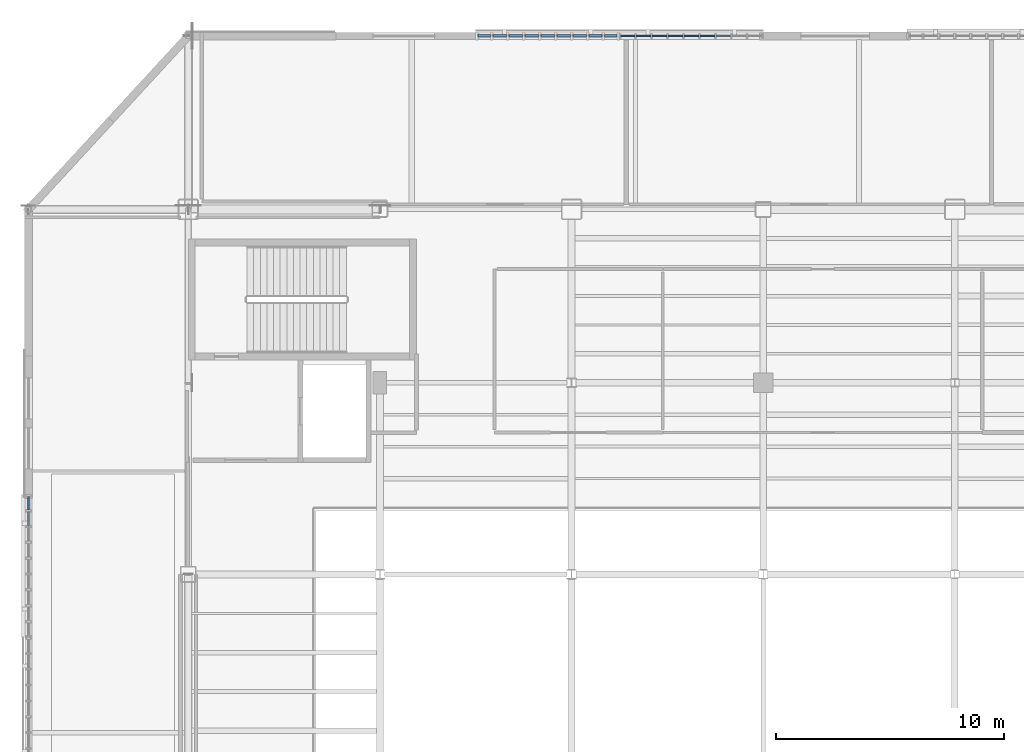
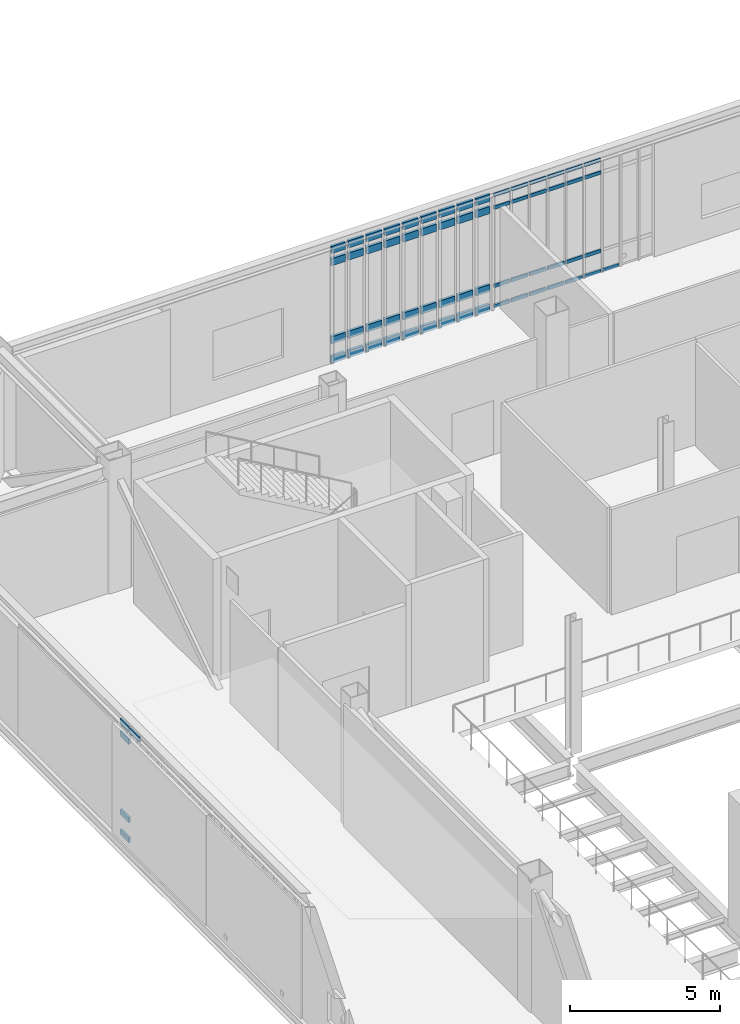
# One storey, part 59 of 127: 66 members, 3 elements without a shape of their own.
"""IFC4 building model written with IfcOpenShell, lengths in metres."""

from ifc_helpers import new_model, si_unit, direction, frame, origin, origin_2d, place, context, subcontext, project, spatial, rectangle, extrude, material, material_profile, profile_set, type_object, element, aggregate, save


model = new_model("IFC4")

# Units and contexts
model_context = context("Model", 3, precision=1e-05, world=origin(), true_north=direction((0.0, 1.0)))
body_context = subcontext(model_context, "Body", "Model", "MODEL_VIEW")
ifc_project = project(units=[si_unit("LENGTHUNIT", "METRE"), si_unit("AREAUNIT", "SQUARE_METRE"), si_unit("VOLUMEUNIT", "CUBIC_METRE"), si_unit("PLANEANGLEUNIT", "RADIAN"), si_unit("MASSUNIT", "GRAM", prefix="KILO")], contexts=[model_context])

# Site, building, storey
site_placement = place(None, origin())
site = spatial("IfcSite", under=ifc_project, at=site_placement, CompositionType="ELEMENT")
building_placement = place(site_placement, origin())
building = spatial("IfcBuilding", under=site, at=building_placement, Name="Larkvane Passage Sports Hall", CompositionType="ELEMENT")
storey_placement = place(building_placement, frame((0.0, 0.0, 5.39990234375)))
storey = spatial("IfcBuildingStorey", under=building, at=storey_placement, Name="L01", CompositionType="ELEMENT", Elevation=5.39990234375)

# Curtain wall, members
ifc_material_1 = material(Name="Thermally broken aluminium and low-E glazing", Category="aluminium")
curtain_wall_type_1 = type_object("IfcCurtainWallType", Name="CW-CLINIC", PredefinedType="USERDEFINED", material=ifc_material_1)
curtain_wall_1_placement = place(storey_placement, origin())
curtain_wall_1 = element("IfcCurtainWall", 1, at=curtain_wall_1_placement, inside=storey, type_object=curtain_wall_type_1, Name="Curtain wall CW5-L01-039", ObjectType="UNITISED CURTAIN WALL", PredefinedType="USERDEFINED")
ifc_material_2 = material(Name="Anodised aluminium 6063-T6", Category="aluminium")
ifc_material_profile_1 = material_profile(ifc_material_2, rectangle(XDim=0.110107421875, YDim=0.2900390625, at=origin_2d()), Name="ALU-TRN-110x290")
ifc_profile_set_1 = profile_set([ifc_material_profile_1], Name="Anodised aluminium 6063-T6")
member_type_1 = type_object("IfcMemberType", Name="CW-TRN-110x290", PredefinedType="USERDEFINED", material=ifc_profile_set_1)
member_1_placement = place(storey_placement, frame((47.510009765625, 99.199951171875, 0.05517578125), z_axis=(1.0, 0.0, 0.0), x_axis=(0.0, 1.0, 0.0)))
member_1 = element("IfcMember", 2, at=member_1_placement, type_object=member_type_1, Name="CW-05 transom 1.1", ObjectType="TRANSOM", PredefinedType="USERDEFINED", context=body_context, shape_type="SweptSolid", body=[
    extrude(rectangle(XDim=0.110107421875, YDim=0.2900390625, at=origin_2d()), origin(), (0.0, 0.0, 1.0), 0.534912109375),
])
member_2_placement = place(storey_placement, frame((47.510009765625, 99.199951171875, 0.85009765625), z_axis=(1.0, 0.0, 0.0), x_axis=(0.0, 1.0, 0.0)))
member_2 = element("IfcMember", 3, at=member_2_placement, type_object=member_type_1, Name="CW-05 transom 1.2", ObjectType="TRANSOM", PredefinedType="USERDEFINED", context=body_context, shape_type="SweptSolid", body=[
    extrude(rectangle(XDim=0.110107421875, YDim=0.2900390625, at=origin_2d()), origin(), (0.0, 0.0, 1.0), 0.534912109375),
])
member_3_placement = place(storey_placement, frame((47.510009765625, 99.199951171875, 4.01806640625), z_axis=(1.0, 0.0, 0.0), x_axis=(0.0, 1.0, 0.0)))
member_3 = element("IfcMember", 4, at=member_3_placement, type_object=member_type_1, Name="CW-05 transom 1.3", ObjectType="TRANSOM", PredefinedType="USERDEFINED", context=body_context, shape_type="SweptSolid", body=[
    extrude(rectangle(XDim=0.110107421875, YDim=0.2900390625, at=origin_2d()), origin(), (0.0, 0.0, 1.0), 0.534912109375),
])
member_4_placement = place(storey_placement, frame((47.510009765625, 99.199951171875, 4.51318359375), z_axis=(1.0, 0.0, 0.0), x_axis=(0.0, 1.0, 0.0)))
member_4 = element("IfcMember", 5, at=member_4_placement, type_object=member_type_1, Name="CW-05 transom 1.4", ObjectType="TRANSOM", PredefinedType="USERDEFINED", context=body_context, shape_type="SweptSolid", body=[
    extrude(rectangle(XDim=0.110107421875, YDim=0.2900390625, at=origin_2d()), origin(), (0.0, 0.0, 1.0), 0.534912109375),
])
member_5_placement = place(storey_placement, frame((48.155029296875, 99.199951171875, 0.05517578125), z_axis=(1.0, 0.0, 0.0), x_axis=(0.0, 1.0, 0.0)))
member_5 = element("IfcMember", 6, at=member_5_placement, type_object=member_type_1, Name="CW-05 transom 2.1", ObjectType="TRANSOM", PredefinedType="USERDEFINED", context=body_context, shape_type="SweptSolid", body=[
    extrude(rectangle(XDim=0.110107421875, YDim=0.2900390625, at=origin_2d()), origin(), (0.0, 0.0, 1.0), 0.590087890625),
])
member_6_placement = place(storey_placement, frame((48.155029296875, 99.199951171875, 0.85009765625), z_axis=(1.0, 0.0, 0.0), x_axis=(0.0, 1.0, 0.0)))
member_6 = element("IfcMember", 7, at=member_6_placement, type_object=member_type_1, Name="CW-05 transom 2.2", ObjectType="TRANSOM", PredefinedType="USERDEFINED", context=body_context, shape_type="SweptSolid", body=[
    extrude(rectangle(XDim=0.110107421875, YDim=0.2900390625, at=origin_2d()), origin(), (0.0, 0.0, 1.0), 0.590087890625),
])
member_7_placement = place(storey_placement, frame((48.155029296875, 99.199951171875, 4.01806640625), z_axis=(1.0, 0.0, 0.0), x_axis=(0.0, 1.0, 0.0)))
member_7 = element("IfcMember", 8, at=member_7_placement, type_object=member_type_1, Name="CW-05 transom 2.3", ObjectType="TRANSOM", PredefinedType="USERDEFINED", context=body_context, shape_type="SweptSolid", body=[
    extrude(rectangle(XDim=0.110107421875, YDim=0.2900390625, at=origin_2d()), origin(), (0.0, 0.0, 1.0), 0.590087890625),
])
member_8_placement = place(storey_placement, frame((48.155029296875, 99.199951171875, 4.51318359375), z_axis=(1.0, 0.0, 0.0), x_axis=(0.0, 1.0, 0.0)))
member_8 = element("IfcMember", 9, at=member_8_placement, type_object=member_type_1, Name="CW-05 transom 2.4", ObjectType="TRANSOM", PredefinedType="USERDEFINED", context=body_context, shape_type="SweptSolid", body=[
    extrude(rectangle(XDim=0.110107421875, YDim=0.2900390625, at=origin_2d()), origin(), (0.0, 0.0, 1.0), 0.590087890625),
])
member_9_placement = place(storey_placement, frame((48.85498046875, 99.199951171875, 0.05517578125), z_axis=(1.0, 0.0, 0.0), x_axis=(0.0, 1.0, 0.0)))
member_9 = element("IfcMember", 10, at=member_9_placement, type_object=member_type_1, Name="CW-05 transom 3.1", ObjectType="TRANSOM", PredefinedType="USERDEFINED", context=body_context, shape_type="SweptSolid", body=[
    extrude(rectangle(XDim=0.110107421875, YDim=0.2900390625, at=origin_2d()), origin(), (0.0, 0.0, 1.0), 0.590087890625),
])
member_10_placement = place(storey_placement, frame((48.85498046875, 99.199951171875, 0.85009765625), z_axis=(1.0, 0.0, 0.0), x_axis=(0.0, 1.0, 0.0)))
member_10 = element("IfcMember", 11, at=member_10_placement, type_object=member_type_1, Name="CW-05 transom 3.2", ObjectType="TRANSOM", PredefinedType="USERDEFINED", context=body_context, shape_type="SweptSolid", body=[
    extrude(rectangle(XDim=0.110107421875, YDim=0.2900390625, at=origin_2d()), origin(), (0.0, 0.0, 1.0), 0.590087890625),
])
member_11_placement = place(storey_placement, frame((48.85498046875, 99.199951171875, 4.01806640625), z_axis=(1.0, 0.0, 0.0), x_axis=(0.0, 1.0, 0.0)))
member_11 = element("IfcMember", 12, at=member_11_placement, type_object=member_type_1, Name="CW-05 transom 3.3", ObjectType="TRANSOM", PredefinedType="USERDEFINED", context=body_context, shape_type="SweptSolid", body=[
    extrude(rectangle(XDim=0.110107421875, YDim=0.2900390625, at=origin_2d()), origin(), (0.0, 0.0, 1.0), 0.590087890625),
])
member_12_placement = place(storey_placement, frame((48.85498046875, 99.199951171875, 4.51318359375), z_axis=(1.0, 0.0, 0.0), x_axis=(0.0, 1.0, 0.0)))
member_12 = element("IfcMember", 13, at=member_12_placement, type_object=member_type_1, Name="CW-05 transom 3.4", ObjectType="TRANSOM", PredefinedType="USERDEFINED", context=body_context, shape_type="SweptSolid", body=[
    extrude(rectangle(XDim=0.110107421875, YDim=0.2900390625, at=origin_2d()), origin(), (0.0, 0.0, 1.0), 0.590087890625),
])
member_13_placement = place(storey_placement, frame((49.554931640625, 99.199951171875, 0.05517578125), z_axis=(1.0, 0.0, 0.0), x_axis=(0.0, 1.0, 0.0)))
member_13 = element("IfcMember", 14, at=member_13_placement, type_object=member_type_1, Name="CW-05 transom 4.1", ObjectType="TRANSOM", PredefinedType="USERDEFINED", context=body_context, shape_type="SweptSolid", body=[
    extrude(rectangle(XDim=0.110107421875, YDim=0.2900390625, at=origin_2d()), origin(), (0.0, 0.0, 1.0), 0.590087890625),
])
member_14_placement = place(storey_placement, frame((49.554931640625, 99.199951171875, 0.85009765625), z_axis=(1.0, 0.0, 0.0), x_axis=(0.0, 1.0, 0.0)))
member_14 = element("IfcMember", 15, at=member_14_placement, type_object=member_type_1, Name="CW-05 transom 4.2", ObjectType="TRANSOM", PredefinedType="USERDEFINED", context=body_context, shape_type="SweptSolid", body=[
    extrude(rectangle(XDim=0.110107421875, YDim=0.2900390625, at=origin_2d()), origin(), (0.0, 0.0, 1.0), 0.590087890625),
])
member_15_placement = place(storey_placement, frame((49.554931640625, 99.199951171875, 4.01806640625), z_axis=(1.0, 0.0, 0.0), x_axis=(0.0, 1.0, 0.0)))
member_15 = element("IfcMember", 16, at=member_15_placement, type_object=member_type_1, Name="CW-05 transom 4.3", ObjectType="TRANSOM", PredefinedType="USERDEFINED", context=body_context, shape_type="SweptSolid", body=[
    extrude(rectangle(XDim=0.110107421875, YDim=0.2900390625, at=origin_2d()), origin(), (0.0, 0.0, 1.0), 0.590087890625),
])
member_16_placement = place(storey_placement, frame((49.554931640625, 99.199951171875, 4.51318359375), z_axis=(1.0, 0.0, 0.0), x_axis=(0.0, 1.0, 0.0)))
member_16 = element("IfcMember", 17, at=member_16_placement, type_object=member_type_1, Name="CW-05 transom 4.4", ObjectType="TRANSOM", PredefinedType="USERDEFINED", context=body_context, shape_type="SweptSolid", body=[
    extrude(rectangle(XDim=0.110107421875, YDim=0.2900390625, at=origin_2d()), origin(), (0.0, 0.0, 1.0), 0.590087890625),
])
member_17_placement = place(storey_placement, frame((50.2548828125, 99.199951171875, 0.05517578125), z_axis=(1.0, 0.0, 0.0), x_axis=(0.0, 1.0, 0.0)))
member_17 = element("IfcMember", 18, at=member_17_placement, type_object=member_type_1, Name="CW-05 transom 5.1", ObjectType="TRANSOM", PredefinedType="USERDEFINED", context=body_context, shape_type="SweptSolid", body=[
    extrude(rectangle(XDim=0.110107421875, YDim=0.2900390625, at=origin_2d()), origin(), (0.0, 0.0, 1.0), 0.590087890625),
])
member_18_placement = place(storey_placement, frame((50.2548828125, 99.199951171875, 0.85009765625), z_axis=(1.0, 0.0, 0.0), x_axis=(0.0, 1.0, 0.0)))
member_18 = element("IfcMember", 19, at=member_18_placement, type_object=member_type_1, Name="CW-05 transom 5.2", ObjectType="TRANSOM", PredefinedType="USERDEFINED", context=body_context, shape_type="SweptSolid", body=[
    extrude(rectangle(XDim=0.110107421875, YDim=0.2900390625, at=origin_2d()), origin(), (0.0, 0.0, 1.0), 0.590087890625),
])
member_19_placement = place(storey_placement, frame((50.2548828125, 99.199951171875, 4.01806640625), z_axis=(1.0, 0.0, 0.0), x_axis=(0.0, 1.0, 0.0)))
member_19 = element("IfcMember", 20, at=member_19_placement, type_object=member_type_1, Name="CW-05 transom 5.3", ObjectType="TRANSOM", PredefinedType="USERDEFINED", context=body_context, shape_type="SweptSolid", body=[
    extrude(rectangle(XDim=0.110107421875, YDim=0.2900390625, at=origin_2d()), origin(), (0.0, 0.0, 1.0), 0.590087890625),
])
member_20_placement = place(storey_placement, frame((50.2548828125, 99.199951171875, 4.51318359375), z_axis=(1.0, 0.0, 0.0), x_axis=(0.0, 1.0, 0.0)))
member_20 = element("IfcMember", 21, at=member_20_placement, type_object=member_type_1, Name="CW-05 transom 5.4", ObjectType="TRANSOM", PredefinedType="USERDEFINED", context=body_context, shape_type="SweptSolid", body=[
    extrude(rectangle(XDim=0.110107421875, YDim=0.2900390625, at=origin_2d()), origin(), (0.0, 0.0, 1.0), 0.590087890625),
])
member_21_placement = place(storey_placement, frame((50.955078125, 99.199951171875, 0.05517578125), z_axis=(1.0, 0.0, 0.0), x_axis=(0.0, 1.0, 0.0)))
member_21 = element("IfcMember", 22, at=member_21_placement, type_object=member_type_1, Name="CW-05 transom 6.1", ObjectType="TRANSOM", PredefinedType="USERDEFINED", context=body_context, shape_type="SweptSolid", body=[
    extrude(rectangle(XDim=0.110107421875, YDim=0.2900390625, at=origin_2d()), origin(), (0.0, 0.0, 1.0), 0.58984375),
])
member_22_placement = place(storey_placement, frame((50.955078125, 99.199951171875, 0.85009765625), z_axis=(1.0, 0.0, 0.0), x_axis=(0.0, 1.0, 0.0)))
member_22 = element("IfcMember", 23, at=member_22_placement, type_object=member_type_1, Name="CW-05 transom 6.2", ObjectType="TRANSOM", PredefinedType="USERDEFINED", context=body_context, shape_type="SweptSolid", body=[
    extrude(rectangle(XDim=0.110107421875, YDim=0.2900390625, at=origin_2d()), origin(), (0.0, 0.0, 1.0), 0.58984375),
])
member_23_placement = place(storey_placement, frame((50.955078125, 99.199951171875, 4.01806640625), z_axis=(1.0, 0.0, 0.0), x_axis=(0.0, 1.0, 0.0)))
member_23 = element("IfcMember", 24, at=member_23_placement, type_object=member_type_1, Name="CW-05 transom 6.3", ObjectType="TRANSOM", PredefinedType="USERDEFINED", context=body_context, shape_type="SweptSolid", body=[
    extrude(rectangle(XDim=0.110107421875, YDim=0.2900390625, at=origin_2d()), origin(), (0.0, 0.0, 1.0), 0.58984375),
])
member_24_placement = place(storey_placement, frame((50.955078125, 99.199951171875, 4.51318359375), z_axis=(1.0, 0.0, 0.0), x_axis=(0.0, 1.0, 0.0)))
member_24 = element("IfcMember", 25, at=member_24_placement, type_object=member_type_1, Name="CW-05 transom 6.4", ObjectType="TRANSOM", PredefinedType="USERDEFINED", context=body_context, shape_type="SweptSolid", body=[
    extrude(rectangle(XDim=0.110107421875, YDim=0.2900390625, at=origin_2d()), origin(), (0.0, 0.0, 1.0), 0.58984375),
])
member_25_placement = place(storey_placement, frame((51.655029296875, 99.199951171875, 0.05517578125), z_axis=(1.0, 0.0, 0.0), x_axis=(0.0, 1.0, 0.0)))
member_25 = element("IfcMember", 26, at=member_25_placement, type_object=member_type_1, Name="CW-05 transom 7.1", ObjectType="TRANSOM", PredefinedType="USERDEFINED", context=body_context, shape_type="SweptSolid", body=[
    extrude(rectangle(XDim=0.110107421875, YDim=0.2900390625, at=origin_2d()), origin(), (0.0, 0.0, 1.0), 0.590087890625),
])
member_26_placement = place(storey_placement, frame((51.655029296875, 99.199951171875, 0.85009765625), z_axis=(1.0, 0.0, 0.0), x_axis=(0.0, 1.0, 0.0)))
member_26 = element("IfcMember", 27, at=member_26_placement, type_object=member_type_1, Name="CW-05 transom 7.2", ObjectType="TRANSOM", PredefinedType="USERDEFINED", context=body_context, shape_type="SweptSolid", body=[
    extrude(rectangle(XDim=0.110107421875, YDim=0.2900390625, at=origin_2d()), origin(), (0.0, 0.0, 1.0), 0.590087890625),
])
member_27_placement = place(storey_placement, frame((51.655029296875, 99.199951171875, 4.01806640625), z_axis=(1.0, 0.0, 0.0), x_axis=(0.0, 1.0, 0.0)))
member_27 = element("IfcMember", 28, at=member_27_placement, type_object=member_type_1, Name="CW-05 transom 7.3", ObjectType="TRANSOM", PredefinedType="USERDEFINED", context=body_context, shape_type="SweptSolid", body=[
    extrude(rectangle(XDim=0.110107421875, YDim=0.2900390625, at=origin_2d()), origin(), (0.0, 0.0, 1.0), 0.590087890625),
])
member_28_placement = place(storey_placement, frame((51.655029296875, 99.199951171875, 4.51318359375), z_axis=(1.0, 0.0, 0.0), x_axis=(0.0, 1.0, 0.0)))
member_28 = element("IfcMember", 29, at=member_28_placement, type_object=member_type_1, Name="CW-05 transom 7.4", ObjectType="TRANSOM", PredefinedType="USERDEFINED", context=body_context, shape_type="SweptSolid", body=[
    extrude(rectangle(XDim=0.110107421875, YDim=0.2900390625, at=origin_2d()), origin(), (0.0, 0.0, 1.0), 0.590087890625),
])
member_29_placement = place(storey_placement, frame((52.35498046875, 99.199951171875, 0.05517578125), z_axis=(1.0, 0.0, 0.0), x_axis=(0.0, 1.0, 0.0)))
member_29 = element("IfcMember", 30, at=member_29_placement, type_object=member_type_1, Name="CW-05 transom 8.1", ObjectType="TRANSOM", PredefinedType="USERDEFINED", context=body_context, shape_type="SweptSolid", body=[
    extrude(rectangle(XDim=0.110107421875, YDim=0.2900390625, at=origin_2d()), origin(), (0.0, 0.0, 1.0), 0.590087890625),
])
member_30_placement = place(storey_placement, frame((52.35498046875, 99.199951171875, 0.85009765625), z_axis=(1.0, 0.0, 0.0), x_axis=(0.0, 1.0, 0.0)))
member_30 = element("IfcMember", 31, at=member_30_placement, type_object=member_type_1, Name="CW-05 transom 8.2", ObjectType="TRANSOM", PredefinedType="USERDEFINED", context=body_context, shape_type="SweptSolid", body=[
    extrude(rectangle(XDim=0.110107421875, YDim=0.2900390625, at=origin_2d()), origin(), (0.0, 0.0, 1.0), 0.590087890625),
])
member_31_placement = place(storey_placement, frame((52.35498046875, 99.199951171875, 4.01806640625), z_axis=(1.0, 0.0, 0.0), x_axis=(0.0, 1.0, 0.0)))
member_31 = element("IfcMember", 32, at=member_31_placement, type_object=member_type_1, Name="CW-05 transom 8.3", ObjectType="TRANSOM", PredefinedType="USERDEFINED", context=body_context, shape_type="SweptSolid", body=[
    extrude(rectangle(XDim=0.110107421875, YDim=0.2900390625, at=origin_2d()), origin(), (0.0, 0.0, 1.0), 0.590087890625),
])
member_32_placement = place(storey_placement, frame((52.35498046875, 99.199951171875, 4.51318359375), z_axis=(1.0, 0.0, 0.0), x_axis=(0.0, 1.0, 0.0)))
member_32 = element("IfcMember", 33, at=member_32_placement, type_object=member_type_1, Name="CW-05 transom 8.4", ObjectType="TRANSOM", PredefinedType="USERDEFINED", context=body_context, shape_type="SweptSolid", body=[
    extrude(rectangle(XDim=0.110107421875, YDim=0.2900390625, at=origin_2d()), origin(), (0.0, 0.0, 1.0), 0.590087890625),
])
member_33_placement = place(storey_placement, frame((53.054931640625, 99.199951171875, 0.05517578125), z_axis=(1.0, 0.0, 0.0), x_axis=(0.0, 1.0, 0.0)))
member_33 = element("IfcMember", 34, at=member_33_placement, type_object=member_type_1, Name="CW-05 transom 9.1", ObjectType="TRANSOM", PredefinedType="USERDEFINED", context=body_context, shape_type="SweptSolid", body=[
    extrude(rectangle(XDim=0.110107421875, YDim=0.2900390625, at=origin_2d()), origin(), (0.0, 0.0, 1.0), 0.53515625),
])
member_34_placement = place(storey_placement, frame((53.054931640625, 99.199951171875, 0.85009765625), z_axis=(1.0, 0.0, 0.0), x_axis=(0.0, 1.0, 0.0)))
member_34 = element("IfcMember", 35, at=member_34_placement, type_object=member_type_1, Name="CW-05 transom 9.2", ObjectType="TRANSOM", PredefinedType="USERDEFINED", context=body_context, shape_type="SweptSolid", body=[
    extrude(rectangle(XDim=0.110107421875, YDim=0.2900390625, at=origin_2d()), origin(), (0.0, 0.0, 1.0), 0.53515625),
])
member_35_placement = place(storey_placement, frame((53.054931640625, 99.199951171875, 4.01806640625), z_axis=(1.0, 0.0, 0.0), x_axis=(0.0, 1.0, 0.0)))
member_35 = element("IfcMember", 36, at=member_35_placement, type_object=member_type_1, Name="CW-05 transom 9.3", ObjectType="TRANSOM", PredefinedType="USERDEFINED", context=body_context, shape_type="SweptSolid", body=[
    extrude(rectangle(XDim=0.110107421875, YDim=0.2900390625, at=origin_2d()), origin(), (0.0, 0.0, 1.0), 0.53515625),
])
member_36_placement = place(storey_placement, frame((53.054931640625, 99.199951171875, 4.51318359375), z_axis=(1.0, 0.0, 0.0), x_axis=(0.0, 1.0, 0.0)))
member_36 = element("IfcMember", 37, at=member_36_placement, type_object=member_type_1, Name="CW-05 transom 9.4", ObjectType="TRANSOM", PredefinedType="USERDEFINED", context=body_context, shape_type="SweptSolid", body=[
    extrude(rectangle(XDim=0.110107421875, YDim=0.2900390625, at=origin_2d()), origin(), (0.0, 0.0, 1.0), 0.53515625),
])
aggregate(curtain_wall_1, [member_1, member_2, member_3, member_4, member_5, member_6, member_7, member_8, member_9, member_10, member_11, member_12, member_13, member_14, member_15, member_16, member_17, member_18, member_19, member_20, member_21, member_22, member_23, member_24, member_25, member_26, member_27, member_28, member_29, member_30, member_31, member_32, member_33, member_34, member_35, member_36])

curtain_wall_type_2 = type_object("IfcCurtainWallType", Name="CW-UNIT-COURT", PredefinedType="USERDEFINED", material=ifc_material_1)
curtain_wall_2_placement = place(storey_placement, origin())
curtain_wall_2 = element("IfcCurtainWall", 38, at=curtain_wall_2_placement, inside=storey, type_object=curtain_wall_type_2, Name="Curtain wall CW5-L01-040", ObjectType="UNITISED CURTAIN WALL", PredefinedType="USERDEFINED")
ifc_material_profile_2 = material_profile(ifc_material_2, rectangle(XDim=0.06494140625, YDim=0.139892578125, at=origin_2d()), Name="ALU-TRN-65x140")
ifc_profile_set_2 = profile_set([ifc_material_profile_2], Name="Anodised aluminium 6063-T6")
member_type_2 = type_object("IfcMemberType", Name="CW-TRN-65x140", PredefinedType="USERDEFINED", material=ifc_profile_set_2)
member_37_placement = place(storey_placement, frame((53.764892578125, 99.199951171875, 0.03271484375), z_axis=(1.0, 0.0, 0.0), x_axis=(0.0, 1.0, 0.0)))
member_37 = element("IfcMember", 39, at=member_37_placement, type_object=member_type_2, Name="CW-01 transom 1.1", ObjectType="TRANSOM", PredefinedType="USERDEFINED", context=body_context, shape_type="SweptSolid", body=[
    extrude(rectangle(XDim=0.06494140625, YDim=0.139892578125, at=origin_2d()), origin(), (0.0, 0.0, 1.0), 0.6025390625),
])
member_38_placement = place(storey_placement, frame((53.764892578125, 99.199951171875, 0.85009765625), z_axis=(1.0, 0.0, 0.0), x_axis=(0.0, 1.0, 0.0)))
member_38 = element("IfcMember", 40, at=member_38_placement, type_object=member_type_2, Name="CW-01 transom 1.2", ObjectType="TRANSOM", PredefinedType="USERDEFINED", context=body_context, shape_type="SweptSolid", body=[
    extrude(rectangle(XDim=0.06494140625, YDim=0.139892578125, at=origin_2d()), origin(), (0.0, 0.0, 1.0), 0.6025390625),
])
member_39_placement = place(storey_placement, frame((53.764892578125, 99.199951171875, 4.028076171875), z_axis=(1.0, 0.0, 0.0), x_axis=(0.0, 1.0, 0.0)))
member_39 = element("IfcMember", 41, at=member_39_placement, type_object=member_type_2, Name="CW-01 transom 1.3", ObjectType="TRANSOM", PredefinedType="USERDEFINED", context=body_context, shape_type="SweptSolid", body=[
    extrude(rectangle(XDim=0.06494140625, YDim=0.139892578125, at=origin_2d()), origin(), (0.0, 0.0, 1.0), 0.6025390625),
])
member_40_placement = place(storey_placement, frame((53.764892578125, 99.199951171875, 4.545654296875), z_axis=(1.0, 0.0, 0.0), x_axis=(0.0, 1.0, 0.0)))
member_40 = element("IfcMember", 42, at=member_40_placement, type_object=member_type_2, Name="CW-01 transom 1.4", ObjectType="TRANSOM", PredefinedType="USERDEFINED", context=body_context, shape_type="SweptSolid", body=[
    extrude(rectangle(XDim=0.06494140625, YDim=0.139892578125, at=origin_2d()), origin(), (0.0, 0.0, 1.0), 0.6025390625),
])
member_41_placement = place(storey_placement, frame((54.4326171875, 99.199951171875, 0.03271484375), z_axis=(1.0, 0.0, 0.0), x_axis=(0.0, 1.0, 0.0)))
member_41 = element("IfcMember", 43, at=member_41_placement, type_object=member_type_2, Name="CW-01 transom 2.1", ObjectType="TRANSOM", PredefinedType="USERDEFINED", context=body_context, shape_type="SweptSolid", body=[
    extrude(rectangle(XDim=0.06494140625, YDim=0.139892578125, at=origin_2d()), origin(), (0.0, 0.0, 1.0), 0.634765625),
])
member_42_placement = place(storey_placement, frame((54.4326171875, 99.199951171875, 0.85009765625), z_axis=(1.0, 0.0, 0.0), x_axis=(0.0, 1.0, 0.0)))
member_42 = element("IfcMember", 44, at=member_42_placement, type_object=member_type_2, Name="CW-01 transom 2.2", ObjectType="TRANSOM", PredefinedType="USERDEFINED", context=body_context, shape_type="SweptSolid", body=[
    extrude(rectangle(XDim=0.06494140625, YDim=0.139892578125, at=origin_2d()), origin(), (0.0, 0.0, 1.0), 0.634765625),
])
member_43_placement = place(storey_placement, frame((54.4326171875, 99.199951171875, 4.028076171875), z_axis=(1.0, 0.0, 0.0), x_axis=(0.0, 1.0, 0.0)))
member_43 = element("IfcMember", 45, at=member_43_placement, type_object=member_type_2, Name="CW-01 transom 2.3", ObjectType="TRANSOM", PredefinedType="USERDEFINED", context=body_context, shape_type="SweptSolid", body=[
    extrude(rectangle(XDim=0.06494140625, YDim=0.139892578125, at=origin_2d()), origin(), (0.0, 0.0, 1.0), 0.634765625),
])
member_44_placement = place(storey_placement, frame((54.4326171875, 99.199951171875, 4.545654296875), z_axis=(1.0, 0.0, 0.0), x_axis=(0.0, 1.0, 0.0)))
member_44 = element("IfcMember", 46, at=member_44_placement, type_object=member_type_2, Name="CW-01 transom 2.4", ObjectType="TRANSOM", PredefinedType="USERDEFINED", context=body_context, shape_type="SweptSolid", body=[
    extrude(rectangle(XDim=0.06494140625, YDim=0.139892578125, at=origin_2d()), origin(), (0.0, 0.0, 1.0), 0.634765625),
])
member_45_placement = place(storey_placement, frame((55.132568359375, 99.199951171875, 0.03271484375), z_axis=(1.0, 0.0, 0.0), x_axis=(0.0, 1.0, 0.0)))
member_45 = element("IfcMember", 47, at=member_45_placement, type_object=member_type_2, Name="CW-01 transom 3.1", ObjectType="TRANSOM", PredefinedType="USERDEFINED", context=body_context, shape_type="SweptSolid", body=[
    extrude(rectangle(XDim=0.06494140625, YDim=0.139892578125, at=origin_2d()), origin(), (0.0, 0.0, 1.0), 0.635009765625),
])
member_46_placement = place(storey_placement, frame((55.132568359375, 99.199951171875, 0.85009765625), z_axis=(1.0, 0.0, 0.0), x_axis=(0.0, 1.0, 0.0)))
member_46 = element("IfcMember", 48, at=member_46_placement, type_object=member_type_2, Name="CW-01 transom 3.2", ObjectType="TRANSOM", PredefinedType="USERDEFINED", context=body_context, shape_type="SweptSolid", body=[
    extrude(rectangle(XDim=0.06494140625, YDim=0.139892578125, at=origin_2d()), origin(), (0.0, 0.0, 1.0), 0.635009765625),
])
member_47_placement = place(storey_placement, frame((55.132568359375, 99.199951171875, 4.028076171875), z_axis=(1.0, 0.0, 0.0), x_axis=(0.0, 1.0, 0.0)))
member_47 = element("IfcMember", 49, at=member_47_placement, type_object=member_type_2, Name="CW-01 transom 3.3", ObjectType="TRANSOM", PredefinedType="USERDEFINED", context=body_context, shape_type="SweptSolid", body=[
    extrude(rectangle(XDim=0.06494140625, YDim=0.139892578125, at=origin_2d()), origin(), (0.0, 0.0, 1.0), 0.635009765625),
])
member_48_placement = place(storey_placement, frame((55.132568359375, 99.199951171875, 4.545654296875), z_axis=(1.0, 0.0, 0.0), x_axis=(0.0, 1.0, 0.0)))
member_48 = element("IfcMember", 50, at=member_48_placement, type_object=member_type_2, Name="CW-01 transom 3.4", ObjectType="TRANSOM", PredefinedType="USERDEFINED", context=body_context, shape_type="SweptSolid", body=[
    extrude(rectangle(XDim=0.06494140625, YDim=0.139892578125, at=origin_2d()), origin(), (0.0, 0.0, 1.0), 0.635009765625),
])
member_49_placement = place(storey_placement, frame((55.83251953125, 99.199951171875, 0.03271484375), z_axis=(1.0, 0.0, 0.0), x_axis=(0.0, 1.0, 0.0)))
member_49 = element("IfcMember", 51, at=member_49_placement, type_object=member_type_2, Name="CW-01 transom 4.1", ObjectType="TRANSOM", PredefinedType="USERDEFINED", context=body_context, shape_type="SweptSolid", body=[
    extrude(rectangle(XDim=0.06494140625, YDim=0.139892578125, at=origin_2d()), origin(), (0.0, 0.0, 1.0), 0.635009765625),
])
member_50_placement = place(storey_placement, frame((55.83251953125, 99.199951171875, 0.85009765625), z_axis=(1.0, 0.0, 0.0), x_axis=(0.0, 1.0, 0.0)))
member_50 = element("IfcMember", 52, at=member_50_placement, type_object=member_type_2, Name="CW-01 transom 4.2", ObjectType="TRANSOM", PredefinedType="USERDEFINED", context=body_context, shape_type="SweptSolid", body=[
    extrude(rectangle(XDim=0.06494140625, YDim=0.139892578125, at=origin_2d()), origin(), (0.0, 0.0, 1.0), 0.635009765625),
])
member_51_placement = place(storey_placement, frame((55.83251953125, 99.199951171875, 4.028076171875), z_axis=(1.0, 0.0, 0.0), x_axis=(0.0, 1.0, 0.0)))
member_51 = element("IfcMember", 53, at=member_51_placement, type_object=member_type_2, Name="CW-01 transom 4.3", ObjectType="TRANSOM", PredefinedType="USERDEFINED", context=body_context, shape_type="SweptSolid", body=[
    extrude(rectangle(XDim=0.06494140625, YDim=0.139892578125, at=origin_2d()), origin(), (0.0, 0.0, 1.0), 0.635009765625),
])
member_52_placement = place(storey_placement, frame((55.83251953125, 99.199951171875, 4.545654296875), z_axis=(1.0, 0.0, 0.0), x_axis=(0.0, 1.0, 0.0)))
member_52 = element("IfcMember", 54, at=member_52_placement, type_object=member_type_2, Name="CW-01 transom 4.4", ObjectType="TRANSOM", PredefinedType="USERDEFINED", context=body_context, shape_type="SweptSolid", body=[
    extrude(rectangle(XDim=0.06494140625, YDim=0.139892578125, at=origin_2d()), origin(), (0.0, 0.0, 1.0), 0.635009765625),
])
member_53_placement = place(storey_placement, frame((56.532470703125, 99.199951171875, 0.03271484375), z_axis=(1.0, 0.0, 0.0), x_axis=(0.0, 1.0, 0.0)))
member_53 = element("IfcMember", 55, at=member_53_placement, type_object=member_type_2, Name="CW-01 transom 5.1", ObjectType="TRANSOM", PredefinedType="USERDEFINED", context=body_context, shape_type="SweptSolid", body=[
    extrude(rectangle(XDim=0.06494140625, YDim=0.139892578125, at=origin_2d()), origin(), (0.0, 0.0, 1.0), 0.635009765625),
])
member_54_placement = place(storey_placement, frame((56.532470703125, 99.199951171875, 0.85009765625), z_axis=(1.0, 0.0, 0.0), x_axis=(0.0, 1.0, 0.0)))
member_54 = element("IfcMember", 56, at=member_54_placement, type_object=member_type_2, Name="CW-01 transom 5.2", ObjectType="TRANSOM", PredefinedType="USERDEFINED", context=body_context, shape_type="SweptSolid", body=[
    extrude(rectangle(XDim=0.06494140625, YDim=0.139892578125, at=origin_2d()), origin(), (0.0, 0.0, 1.0), 0.635009765625),
])
member_55_placement = place(storey_placement, frame((56.532470703125, 99.199951171875, 4.028076171875), z_axis=(1.0, 0.0, 0.0), x_axis=(0.0, 1.0, 0.0)))
member_55 = element("IfcMember", 57, at=member_55_placement, type_object=member_type_2, Name="CW-01 transom 5.3", ObjectType="TRANSOM", PredefinedType="USERDEFINED", context=body_context, shape_type="SweptSolid", body=[
    extrude(rectangle(XDim=0.06494140625, YDim=0.139892578125, at=origin_2d()), origin(), (0.0, 0.0, 1.0), 0.635009765625),
])
member_56_placement = place(storey_placement, frame((56.532470703125, 99.199951171875, 4.545654296875), z_axis=(1.0, 0.0, 0.0), x_axis=(0.0, 1.0, 0.0)))
member_56 = element("IfcMember", 58, at=member_56_placement, type_object=member_type_2, Name="CW-01 transom 5.4", ObjectType="TRANSOM", PredefinedType="USERDEFINED", context=body_context, shape_type="SweptSolid", body=[
    extrude(rectangle(XDim=0.06494140625, YDim=0.139892578125, at=origin_2d()), origin(), (0.0, 0.0, 1.0), 0.635009765625),
])
member_57_placement = place(storey_placement, frame((57.232421875, 99.199951171875, 0.03271484375), z_axis=(1.0, 0.0, 0.0), x_axis=(0.0, 1.0, 0.0)))
member_57 = element("IfcMember", 59, at=member_57_placement, type_object=member_type_2, Name="CW-01 transom 6.1", ObjectType="TRANSOM", PredefinedType="USERDEFINED", context=body_context, shape_type="SweptSolid", body=[
    extrude(rectangle(XDim=0.06494140625, YDim=0.139892578125, at=origin_2d()), origin(), (0.0, 0.0, 1.0), 0.635009765625),
])
member_58_placement = place(storey_placement, frame((57.232421875, 99.199951171875, 0.85009765625), z_axis=(1.0, 0.0, 0.0), x_axis=(0.0, 1.0, 0.0)))
member_58 = element("IfcMember", 60, at=member_58_placement, type_object=member_type_2, Name="CW-01 transom 6.2", ObjectType="TRANSOM", PredefinedType="USERDEFINED", context=body_context, shape_type="SweptSolid", body=[
    extrude(rectangle(XDim=0.06494140625, YDim=0.139892578125, at=origin_2d()), origin(), (0.0, 0.0, 1.0), 0.635009765625),
])
member_59_placement = place(storey_placement, frame((57.232421875, 99.199951171875, 4.028076171875), z_axis=(1.0, 0.0, 0.0), x_axis=(0.0, 1.0, 0.0)))
member_59 = element("IfcMember", 61, at=member_59_placement, type_object=member_type_2, Name="CW-01 transom 6.3", ObjectType="TRANSOM", PredefinedType="USERDEFINED", context=body_context, shape_type="SweptSolid", body=[
    extrude(rectangle(XDim=0.06494140625, YDim=0.139892578125, at=origin_2d()), origin(), (0.0, 0.0, 1.0), 0.635009765625),
])
member_60_placement = place(storey_placement, frame((57.232421875, 99.199951171875, 4.545654296875), z_axis=(1.0, 0.0, 0.0), x_axis=(0.0, 1.0, 0.0)))
member_60 = element("IfcMember", 62, at=member_60_placement, type_object=member_type_2, Name="CW-01 transom 6.4", ObjectType="TRANSOM", PredefinedType="USERDEFINED", context=body_context, shape_type="SweptSolid", body=[
    extrude(rectangle(XDim=0.06494140625, YDim=0.139892578125, at=origin_2d()), origin(), (0.0, 0.0, 1.0), 0.635009765625),
])
member_61_placement = place(storey_placement, frame((57.9326171875, 99.199951171875, 0.03271484375), z_axis=(1.0, 0.0, 0.0), x_axis=(0.0, 1.0, 0.0)))
member_61 = element("IfcMember", 63, at=member_61_placement, type_object=member_type_2, Name="CW-01 transom 7.1", ObjectType="TRANSOM", PredefinedType="USERDEFINED", context=body_context, shape_type="SweptSolid", body=[
    extrude(rectangle(XDim=0.06494140625, YDim=0.139892578125, at=origin_2d()), origin(), (0.0, 0.0, 1.0), 0.634765625),
])
aggregate(curtain_wall_2, [member_37, member_38, member_39, member_40, member_41, member_42, member_43, member_44, member_45, member_46, member_47, member_48, member_49, member_50, member_51, member_52, member_53, member_54, member_55, member_56, member_57, member_58, member_59, member_60, member_61])

curtain_wall_type_3 = type_object("IfcCurtainWallType", Name="CW-STICK-FOYER", PredefinedType="USERDEFINED", material=ifc_material_1)
curtain_wall_3_placement = place(storey_placement, origin())
curtain_wall_3 = element("IfcCurtainWall", 64, at=curtain_wall_3_placement, inside=storey, type_object=curtain_wall_type_3, Name="Curtain wall CW5-L01-038", ObjectType="STICK CURTAIN WALL", PredefinedType="USERDEFINED")
ifc_material_profile_3 = material_profile(ifc_material_2, rectangle(XDim=0.080078125, YDim=0.2099609375, at=origin_2d()), Name="ALU-TRN-80x210")
ifc_profile_set_3 = profile_set([ifc_material_profile_3], Name="Anodised aluminium 6063-T6")
member_type_3 = type_object("IfcMemberType", Name="CW-TRN-80x210", PredefinedType="USERDEFINED", material=ifc_profile_set_3)
member_62_placement = place(storey_placement, frame((27.800048828125, 77.740966796875, 4.5380859375), z_axis=(0.0, 1.0, 0.0), x_axis=(-1.0, 0.0, 0.0)))
member_62 = element("IfcMember", 65, at=member_62_placement, type_object=member_type_3, Name="CW-03 transom 8.4", ObjectType="TRANSOM", PredefinedType="USERDEFINED", context=body_context, shape_type="SweptSolid", body=[
    extrude(rectangle(XDim=0.080078125, YDim=0.2099609375, at=origin_2d()), origin(), (0.0, 0.0, 1.0), 0.614990234375),
])
member_63_placement = place(storey_placement, frame((27.800048828125, 78.43603515625, 0.0400390625), z_axis=(0.0, 1.0, 0.0), x_axis=(-1.0, 0.0, 0.0)))
member_63 = element("IfcMember", 66, at=member_63_placement, type_object=member_type_3, Name="CW-03 transom 9.1", ObjectType="TRANSOM", PredefinedType="USERDEFINED", context=body_context, shape_type="SweptSolid", body=[
    extrude(rectangle(XDim=0.080078125, YDim=0.2099609375, at=origin_2d()), origin(), (0.0, 0.0, 1.0), 0.574951171875),
])
member_64_placement = place(storey_placement, frame((27.800048828125, 78.43603515625, 0.85009765625), z_axis=(0.0, 1.0, 0.0), x_axis=(-1.0, 0.0, 0.0)))
member_64 = element("IfcMember", 67, at=member_64_placement, type_object=member_type_3, Name="CW-03 transom 9.2", ObjectType="TRANSOM", PredefinedType="USERDEFINED", context=body_context, shape_type="SweptSolid", body=[
    extrude(rectangle(XDim=0.080078125, YDim=0.2099609375, at=origin_2d()), origin(), (0.0, 0.0, 1.0), 0.574951171875),
])
member_65_placement = place(storey_placement, frame((27.800048828125, 78.43603515625, 4.028076171875), z_axis=(0.0, 1.0, 0.0), x_axis=(-1.0, 0.0, 0.0)))
member_65 = element("IfcMember", 68, at=member_65_placement, type_object=member_type_3, Name="CW-03 transom 9.3", ObjectType="TRANSOM", PredefinedType="USERDEFINED", context=body_context, shape_type="SweptSolid", body=[
    extrude(rectangle(XDim=0.080078125, YDim=0.2099609375, at=origin_2d()), origin(), (0.0, 0.0, 1.0), 0.574951171875),
])
member_66_placement = place(storey_placement, frame((27.800048828125, 78.43603515625, 4.5380859375), z_axis=(0.0, 1.0, 0.0), x_axis=(-1.0, 0.0, 0.0)))
member_66 = element("IfcMember", 69, at=member_66_placement, type_object=member_type_3, Name="CW-03 transom 9.4", ObjectType="TRANSOM", PredefinedType="USERDEFINED", context=body_context, shape_type="SweptSolid", body=[
    extrude(rectangle(XDim=0.080078125, YDim=0.2099609375, at=origin_2d()), origin(), (0.0, 0.0, 1.0), 0.574951171875),
])
aggregate(curtain_wall_3, [member_62, member_63, member_64, member_65, member_66])

save(model, "model.ifc")
